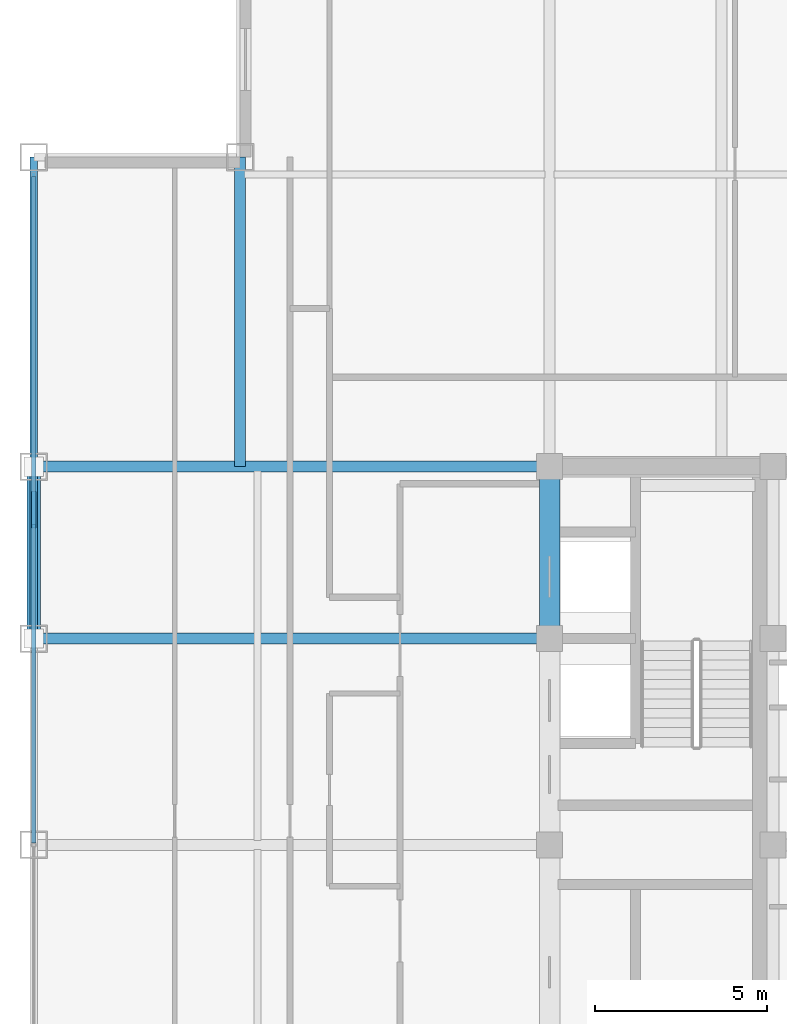
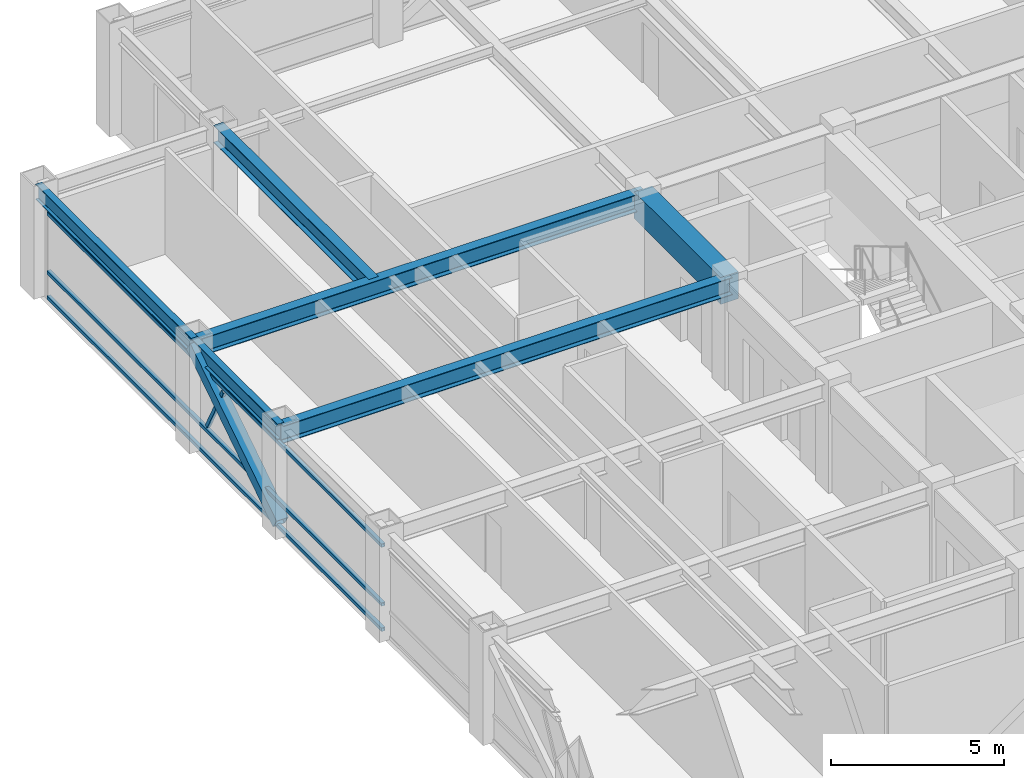
# One storey, part 13 of 28: 6 beams, 5 members, 1 element without a shape of its own.
"""IFC4 building model written with IfcOpenShell, lengths in metres."""

from ifc_helpers import new_model, si_unit, direction, frame, origin, origin_2d, place, context, subcontext, project, spatial, rectangle, hollow_rectangle, i_section, extrude, source, transform, mapped, material, material_profile, profile_set, type_object, element, aggregate, save


model = new_model("IFC4")

# Units and contexts
model_context = context("Model", 3, precision=1e-05, world=origin(), true_north=direction((0.0, 1.0)))
body_context = subcontext(model_context, "Body", "Model", "MODEL_VIEW")
ifc_project = project(units=[si_unit("LENGTHUNIT", "METRE"), si_unit("AREAUNIT", "SQUARE_METRE"), si_unit("VOLUMEUNIT", "CUBIC_METRE"), si_unit("PLANEANGLEUNIT", "RADIAN"), si_unit("MASSUNIT", "GRAM", prefix="KILO")], contexts=[model_context])

# Site, building, storey
site_placement = place(None, origin())
site = spatial("IfcSite", under=ifc_project, at=site_placement, CompositionType="ELEMENT")
building_placement = place(site_placement, origin())
building = spatial("IfcBuilding", under=site, at=building_placement, Name="Khorayat Bourse Tower", CompositionType="ELEMENT")
storey_placement = place(building_placement, frame((0.0, 0.0, 338.300048828125)))
storey = spatial("IfcBuildingStorey", under=building, at=storey_placement, Name="L80", CompositionType="ELEMENT", Elevation=338.300048828125)

# Beams
ifc_material_1 = material(Name="Concrete C60/75", Category="concrete")
ifc_material_profile_1 = material_profile(ifc_material_1, rectangle(XDim=0.60009765625, YDim=0.949951171875, at=origin_2d()), Name="RC 600x950")
ifc_profile_set_1 = profile_set([ifc_material_profile_1], Name="Concrete C60/75")
beam_type_1 = type_object("IfcBeamType", Name="BM-COUP-950", PredefinedType="BEAM", material=ifc_profile_set_1)
shared_shape_1 = source(origin(), body_context, "Body", "SweptSolid", [
    extrude(rectangle(XDim=0.60009765625, YDim=0.949951171875, at=origin_2d()), origin(), (0.0, 0.0, 1.0), 5.0),
])
beam_1_placement = place(storey_placement, frame((-11.0, 6.0, 3.264892578125), z_axis=(0.0, 1.0, 0.0), x_axis=(-1.0, 0.0, 0.0)))
element("IfcBeam", 1, at=beam_1_placement, inside=storey, type_object=beam_type_1, Name="L80 BM-COUP-950 BM-L80-CRX-04", PredefinedType="BEAM", context=body_context, shape_type="MappedRepresentation", body=[
    mapped(shared_shape_1, transform((0.0, 0.0, 0.0), scale=1.0)),
])
ifc_material_2 = material(Name="Steel ASTM A992 Grade 50", Category="steel")
ifc_material_profile_2 = material_profile(ifc_material_2, i_section(OverallWidth=0.214111328125, OverallDepth=0.549072265625, WebThickness=0.0146484375, FlangeThickness=0.023681640625, FilletRadius=0.013916015625, at=origin_2d()), Name="W530X138")
ifc_profile_set_2 = profile_set([ifc_material_profile_2], Name="Steel ASTM A992 Grade 50")
beam_type_2 = type_object("IfcBeamType", Name="BM-SPAN-530", PredefinedType="SPANDREL", material=ifc_profile_set_2)
shared_shape_2 = source(origin(), body_context, "Body", "SweptSolid", [
    extrude(i_section(OverallWidth=0.214111328125, OverallDepth=0.549072265625, WebThickness=0.0146484375, FlangeThickness=0.023681640625, FilletRadius=0.013916015625, at=origin_2d()), origin(), (0.0, 0.0, 1.0), 9.0),
])
beam_2_placement = place(storey_placement, frame((-26.0, 11.0, 3.46533203125), z_axis=(0.0, 1.0, 0.0), x_axis=(-1.0, 0.0, 0.0)))
element("IfcBeam", 2, at=beam_2_placement, inside=storey, type_object=beam_type_2, Name="L80 BM-SPAN-530 BM-L80-SPN-048", PredefinedType="SPANDREL", context=body_context, shape_type="MappedRepresentation", body=[
    mapped(shared_shape_2, transform((0.0, 0.0, 0.0), scale=1.0)),
])
shared_shape_3 = source(origin(), body_context, "Body", "SweptSolid", [
    extrude(i_section(OverallWidth=0.214111328125, OverallDepth=0.549072265625, WebThickness=0.0146484375, FlangeThickness=0.023681640625, FilletRadius=0.013916015625, at=origin_2d()), origin(), (0.0, 0.0, 1.0), 5.0),
])
beam_3_placement = place(storey_placement, frame((-26.0, 6.0, 3.46533203125), z_axis=(0.0, 1.0, 0.0), x_axis=(-1.0, 0.0, 0.0)))
element("IfcBeam", 3, at=beam_3_placement, inside=storey, type_object=beam_type_2, Name="L80 BM-SPAN-530 BM-L80-SPN-049", PredefinedType="SPANDREL", context=body_context, shape_type="MappedRepresentation", body=[
    mapped(shared_shape_3, transform((0.0, 0.0, 0.0), scale=1.0)),
])
ifc_material_profile_3 = material_profile(ifc_material_2, i_section(OverallWidth=0.324951171875, OverallDepth=0.615966796875, WebThickness=0.013916015625, FlangeThickness=0.021484375, FilletRadius=0.01611328125, at=origin_2d()), Name="W610X174")
ifc_profile_set_3 = profile_set([ifc_material_profile_3], Name="Steel ASTM A992 Grade 50")
beam_type_3 = type_object("IfcBeamType", Name="BM-GIRD-610", PredefinedType="BEAM", material=ifc_profile_set_3)
shared_shape_4 = source(origin(), body_context, "Body", "SweptSolid", [
    extrude(i_section(OverallWidth=0.324951171875, OverallDepth=0.615966796875, WebThickness=0.013916015625, FlangeThickness=0.021484375, FilletRadius=0.01611328125, at=origin_2d()), origin(), (0.0, 0.0, 1.0), 15.0),
])
for number, where, z_axis, x_axis, name in (
    (4, (-26.0, 6.0, 3.431884765625), (1.0, 0.0, 0.0), (0.0, 1.0, 0.0), "L80 BM-GIRD-610 BM-L80-RADX-073"),
    (5, (-26.0, 11.0, 3.431884765625), (1.0, 0.0, 0.0), (0.0, 1.0, 0.0), "L80 BM-GIRD-610 BM-L80-RADX-075"),
):
    element("IfcBeam", number, at=place(storey_placement, frame(where, z_axis=z_axis, x_axis=x_axis)), inside=storey, type_object=beam_type_3, Name=name, PredefinedType="BEAM", context=body_context, shape_type="MappedRepresentation", body=[
        mapped(shared_shape_4, transform((0.0, 0.0, 0.0), scale=1.0)),
    ])
shared_shape_5 = source(origin(), body_context, "Body", "SweptSolid", [
    extrude(i_section(OverallWidth=0.324951171875, OverallDepth=0.615966796875, WebThickness=0.013916015625, FlangeThickness=0.021484375, FilletRadius=0.01611328125, at=origin_2d()), origin(), (0.0, 0.0, 1.0), 9.0),
])
beam_4_placement = place(storey_placement, frame((-20.0, 11.0, 3.431884765625), z_axis=(0.0, 1.0, 0.0), x_axis=(-1.0, 0.0, 0.0)))
element("IfcBeam", 6, at=beam_4_placement, inside=storey, type_object=beam_type_3, Name="L80 BM-GIRD-610 BM-L80-CNRY-077", PredefinedType="BEAM", context=body_context, shape_type="MappedRepresentation", body=[
    mapped(shared_shape_5, transform((0.0, 0.0, 0.0), scale=1.0)),
])

# Member
ifc_material_3 = material(Name="Steel EN 10025-4 S460M", Category="steel")
ifc_material_profile_4 = material_profile(ifc_material_3, hollow_rectangle(XDim=0.39990234375, YDim=0.39990234375, WallThickness=0.02197265625, at=origin_2d()), Name="HSS 400x400x22")
ifc_profile_set_4 = profile_set([ifc_material_profile_4], Name="Steel EN 10025-4 S460M")
member_type_1 = type_object("IfcMemberType", Name="MBR-TUBE-400", PredefinedType="BRACE", material=ifc_profile_set_4)
shared_shape_6 = source(origin(), body_context, "Body", "SweptSolid", [
    extrude(hollow_rectangle(XDim=0.39990234375, YDim=0.39990234375, WallThickness=0.02197265625, at=origin_2d()), origin(), (0.0, 0.0, 1.0), 5.9580078125),
])
member_1_placement = place(storey_placement, frame((-26.0, 6.0, 0.25), z_axis=(0.0, 0.839210474455, 0.543806748364), x_axis=(-1.0, 0.0, 0.0)))
element("IfcMember", 7, at=member_1_placement, inside=storey, type_object=member_type_1, Name="L80 Perimeter Tube Brace 06", PredefinedType="BRACE", context=body_context, shape_type="MappedRepresentation", body=[
    mapped(shared_shape_6, transform((0.0, 0.0, 0.0), scale=1.0)),
])

# Curtain wall, members
ifc_material_4 = material(Name="Aluminium EN AW-6063 T6", Category="aluminium")
curtain_wall_type = type_object("IfcCurtainWallType", Name="CW-SYS-04", PredefinedType="NOTDEFINED", material=ifc_material_4)
curtain_wall_placement = place(storey_placement, origin())
curtain_wall = element("IfcCurtainWall", 8, at=curtain_wall_placement, inside=storey, type_object=curtain_wall_type, Name="L80 Curtain Wall CW-L80-W1", PredefinedType="NOTDEFINED")
ifc_material_profile_5 = material_profile(ifc_material_4, hollow_rectangle(XDim=0.1201171875, YDim=0.1201171875, WallThickness=0.0048828125, at=origin_2d()), Name="ALU 120x120x5")
ifc_profile_set_5 = profile_set([ifc_material_profile_5], Name="Aluminium EN AW-6063 T6")
member_type_2 = type_object("IfcMemberType", Name="CWM-DIAG-120", PredefinedType="MULLION", material=ifc_profile_set_5)
shared_shape_7 = source(origin(), body_context, "Body", "SweptSolid", [
    extrude(hollow_rectangle(XDim=0.1201171875, YDim=0.1201171875, WallThickness=0.0048828125, at=origin_2d()), origin(), (0.0, 0.0, 1.0), 2.0341796875),
])
member_2_placement = place(storey_placement, frame((-26.0, 10.21875, 1.08984375), z_axis=(0.0, -0.465790950955, 0.884894790361), x_axis=(1.0, 0.0, 0.0)))
member_2 = element("IfcMember", 9, at=member_2_placement, type_object=member_type_2, Name="CW-L80-W1 Faceted Diagonal Mullion 2", PredefinedType="MULLION", context=body_context, shape_type="MappedRepresentation", body=[
    mapped(shared_shape_7, transform((0.0, 0.0, 0.0), scale=1.0)),
])
ifc_material_profile_6 = material_profile(ifc_material_4, hollow_rectangle(XDim=0.1201171875, YDim=0.1201171875, WallThickness=0.0048828125, at=origin_2d()), Name="ALU 120x120x5")
ifc_profile_set_6 = profile_set([ifc_material_profile_6], Name="Aluminium EN AW-6063 T6")
member_type_3 = type_object("IfcMemberType", Name="CWT-HORZ-120", PredefinedType="USERDEFINED", material=ifc_profile_set_6)
shared_shape_8 = source(origin(), body_context, "Body", "SweptSolid", [
    extrude(hollow_rectangle(XDim=0.1201171875, YDim=0.1201171875, WallThickness=0.0048828125, at=origin_2d()), origin(), (0.0, 0.0, 1.0), 19.369873046875),
])
member_3_placement = place(storey_placement, frame((-26.0, 0.06005859375, 0.06005859375), z_axis=(0.0, 1.0, 0.0), x_axis=(-1.0, 0.0, 0.0)))
member_3 = element("IfcMember", 10, at=member_3_placement, type_object=member_type_3, Name="CW-L80-W1 Horizontal Transom 2-1", ObjectType="TRANSOM", PredefinedType="USERDEFINED", context=body_context, shape_type="MappedRepresentation", body=[
    mapped(shared_shape_8, transform((0.0, 0.0, 0.0), scale=1.0)),
])
member_4_placement = place(storey_placement, frame((-26.0, 0.06005859375, 0.949951171875), z_axis=(0.0, 1.0, 0.0), x_axis=(-1.0, 0.0, 0.0)))
member_4 = element("IfcMember", 11, at=member_4_placement, type_object=member_type_3, Name="CW-L80-W1 Horizontal Transom 2-2", ObjectType="TRANSOM", PredefinedType="USERDEFINED", context=body_context, shape_type="MappedRepresentation", body=[
    mapped(shared_shape_8, transform((0.0, 0.0, 0.0), scale=1.0)),
])
member_5_placement = place(storey_placement, frame((-26.0, 0.06005859375, 3.030029296875), z_axis=(0.0, 1.0, 0.0), x_axis=(-1.0, 0.0, 0.0)))
member_5 = element("IfcMember", 12, at=member_5_placement, type_object=member_type_3, Name="CW-L80-W1 Horizontal Transom 2-3", ObjectType="TRANSOM", PredefinedType="USERDEFINED", context=body_context, shape_type="MappedRepresentation", body=[
    mapped(shared_shape_8, transform((0.0, 0.0, 0.0), scale=1.0)),
])
aggregate(curtain_wall, [member_3, member_4, member_5, member_2])

save(model, "model.ifc")
